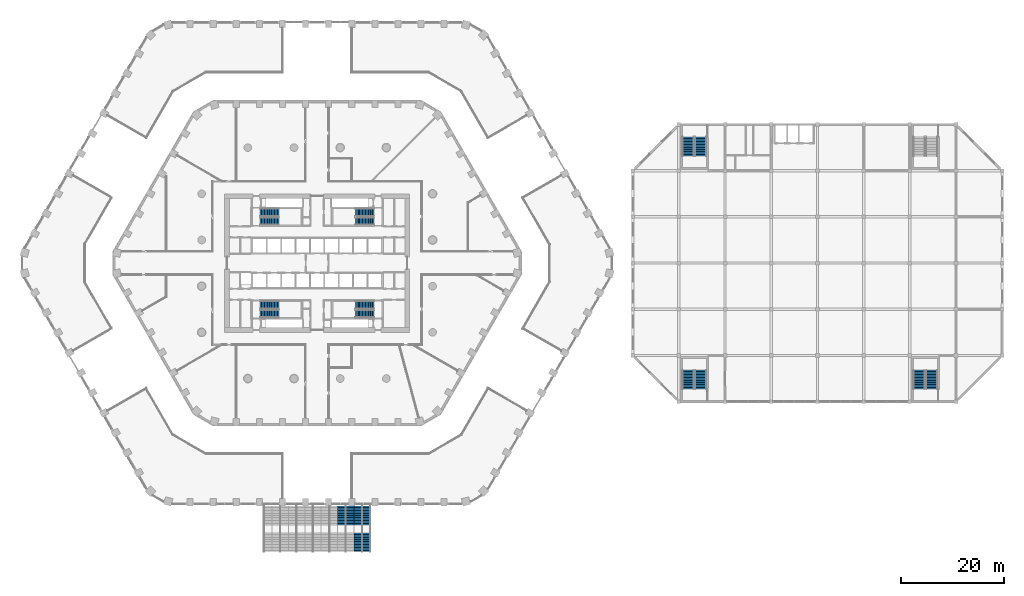
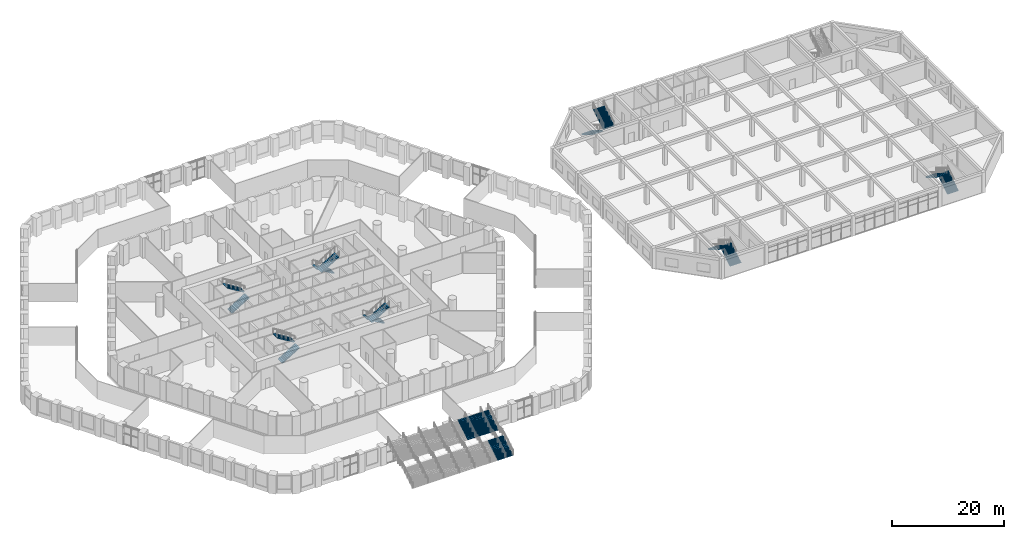
# One storey, part 30 of 42: 20 stair flights, 11 elements without a shape of their own.
"""IFC4 building model written with IfcOpenShell, lengths in metres."""

from ifc_helpers import new_model, si_unit, direction, frame, origin, place, context, subcontext, project, spatial, polyline, outline, extrude, material, type_object, element, aggregate, save


model = new_model("IFC4")

# Units and contexts
model_context = context("Model", 3, precision=1e-05, world=origin(), true_north=direction((0.0, 1.0)))
body_context = subcontext(model_context, "Body", "Model", "MODEL_VIEW")
ifc_project = project(units=[si_unit("LENGTHUNIT", "METRE"), si_unit("AREAUNIT", "SQUARE_METRE"), si_unit("VOLUMEUNIT", "CUBIC_METRE"), si_unit("PLANEANGLEUNIT", "RADIAN"), si_unit("MASSUNIT", "GRAM", prefix="KILO")], contexts=[model_context])

# Site, building, storey
site_placement = place(None, origin())
site = spatial("IfcSite", under=ifc_project, at=site_placement, CompositionType="ELEMENT")
building_placement = place(site_placement, origin())
building = spatial("IfcBuilding", under=site, at=building_placement, Name="Dhurran Vertical Campus", CompositionType="ELEMENT")
storey_placement = place(building_placement, frame((0.0, 0.0, 6.0)))
storey = spatial("IfcBuildingStorey", under=building, at=storey_placement, Name="L01", CompositionType="ELEMENT", Elevation=6.0)

# Stair, stair flights
ifc_material_1 = material(Name="Concrete C40/50", Category="concrete")
stair_type_1 = type_object("IfcStairType", Name="co-ST-CORE", PredefinedType="HALF_TURN_STAIR", material=ifc_material_1)
stair_1_placement = place(storey_placement, origin())
stair_1 = element("IfcStair", 1, at=stair_1_placement, inside=storey, type_object=stair_type_1, Name="L01 Protected exit stair ST1", PredefinedType="HALF_TURN_STAIR")
ifc_material_2 = material(Name="Concrete C40/50", Category="concrete")
stair_flight_type_1 = type_object("IfcStairFlightType", Name="co-SFL-RC", PredefinedType="STRAIGHT", material=ifc_material_2)
stair_flight_1_placement = place(storey_placement, frame((-11.10009765625, 8.175048828125, 0.0), z_axis=(0.0, 0.0, 1.0), x_axis=(1.0, 0.0, 0.0)))
stair_flight_1 = element("IfcStairFlight", 2, at=stair_flight_1_placement, type_object=stair_flight_type_1, Name="ST1 flight 1", NumberOfRisers=14, NumberOfTreads=13, PredefinedType="STRAIGHT", RiserHeight=0.171428571, TreadLength=0.28, context=body_context, shape_type="SweptSolid", body=[
    extrude(outline(polyline([(0.0, 0.0), (0.0, 0.17138671875), (0.280029296875, 0.17138671875), (0.280029296875, 0.3427734375), (0.56005859375, 0.3427734375), (0.56005859375, 0.514404296875), (0.840087890625, 0.514404296875), (0.840087890625, 0.685791015625), (1.1201171875, 0.685791015625), (1.1201171875, 0.857177734375), (1.39990234375, 0.857177734375), (1.39990234375, 1.028564453125), (1.679931640625, 1.028564453125), (1.679931640625, 1.199951171875), (1.9599609375, 1.199951171875), (1.9599609375, 1.371337890625), (2.239990234375, 1.371337890625), (2.239990234375, 1.54296875), (2.52001953125, 1.54296875), (2.52001953125, 1.71435546875), (2.800048828125, 1.71435546875), (2.800048828125, 1.8857421875), (3.080078125, 1.8857421875), (3.080078125, 2.05712890625), (3.360107421875, 2.05712890625), (3.360107421875, 2.228515625), (3.639892578125, 2.228515625), (3.639892578125, 2.39990234375), (3.639892578125, 2.052734375), (0.287109375, 0.0), (0.0, 0.0)])), frame((0.0, 0.77490234375, 0.0), z_axis=(0.0, -1.0, 0.0), x_axis=(1.0, 0.0, 0.0)), (0.0, 0.0, 1.0), 1.550048828125),
])
stair_flight_2_placement = place(storey_placement, frame((-7.4599609375, 9.875, 2.39990234375), z_axis=(0.0, 0.0, 1.0), x_axis=(-1.0, 0.0, 0.0)))
stair_flight_2 = element("IfcStairFlight", 3, at=stair_flight_2_placement, type_object=stair_flight_type_1, Name="ST1 flight 2", NumberOfRisers=14, NumberOfTreads=13, PredefinedType="STRAIGHT", RiserHeight=0.171428571, TreadLength=0.28, context=body_context, shape_type="SweptSolid", body=[
    extrude(outline(polyline([(0.0, 0.0), (0.0, 0.17138671875), (0.280029296875, 0.17138671875), (0.280029296875, 0.3427734375), (0.56005859375, 0.3427734375), (0.56005859375, 0.514404296875), (0.840087890625, 0.514404296875), (0.840087890625, 0.685791015625), (1.1201171875, 0.685791015625), (1.1201171875, 0.857177734375), (1.39990234375, 0.857177734375), (1.39990234375, 1.028564453125), (1.679931640625, 1.028564453125), (1.679931640625, 1.199951171875), (1.9599609375, 1.199951171875), (1.9599609375, 1.371337890625), (2.239990234375, 1.371337890625), (2.239990234375, 1.54296875), (2.52001953125, 1.54296875), (2.52001953125, 1.71435546875), (2.800048828125, 1.71435546875), (2.800048828125, 1.8857421875), (3.080078125, 1.8857421875), (3.080078125, 2.05712890625), (3.360107421875, 2.05712890625), (3.360107421875, 2.228515625), (3.639892578125, 2.228515625), (3.639892578125, 2.39990234375), (3.639892578125, 2.052734375), (0.287109375, 0.0), (0.0, 0.0)])), frame((0.0, 0.77490234375, 0.0), z_axis=(0.0, -1.0, 0.0), x_axis=(1.0, 0.0, 0.0)), (0.0, 0.0, 1.0), 1.550048828125),
])
aggregate(stair_1, [stair_flight_1, stair_flight_2])

stair_2_placement = place(storey_placement, origin())
stair_2 = element("IfcStair", 4, at=stair_2_placement, inside=storey, type_object=stair_type_1, Name="L01 Protected exit stair ST2", PredefinedType="HALF_TURN_STAIR")
stair_flight_3_placement = place(storey_placement, frame((11.10009765625, 9.875, 0.0), z_axis=(0.0, 0.0, 1.0), x_axis=(-1.0, 0.0, 0.0)))
stair_flight_3 = element("IfcStairFlight", 5, at=stair_flight_3_placement, type_object=stair_flight_type_1, Name="ST2 flight 1", NumberOfRisers=14, NumberOfTreads=13, PredefinedType="STRAIGHT", RiserHeight=0.171428571, TreadLength=0.28, context=body_context, shape_type="SweptSolid", body=[
    extrude(outline(polyline([(0.0, 0.0), (0.0, 0.17138671875), (0.280029296875, 0.17138671875), (0.280029296875, 0.3427734375), (0.56005859375, 0.3427734375), (0.56005859375, 0.514404296875), (0.840087890625, 0.514404296875), (0.840087890625, 0.685791015625), (1.1201171875, 0.685791015625), (1.1201171875, 0.857177734375), (1.39990234375, 0.857177734375), (1.39990234375, 1.028564453125), (1.679931640625, 1.028564453125), (1.679931640625, 1.199951171875), (1.9599609375, 1.199951171875), (1.9599609375, 1.371337890625), (2.239990234375, 1.371337890625), (2.239990234375, 1.54296875), (2.52001953125, 1.54296875), (2.52001953125, 1.71435546875), (2.800048828125, 1.71435546875), (2.800048828125, 1.8857421875), (3.080078125, 1.8857421875), (3.080078125, 2.05712890625), (3.360107421875, 2.05712890625), (3.360107421875, 2.228515625), (3.639892578125, 2.228515625), (3.639892578125, 2.39990234375), (3.639892578125, 2.052734375), (0.287109375, 0.0), (0.0, 0.0)])), frame((0.0, 0.77490234375, 0.0), z_axis=(0.0, -1.0, 0.0), x_axis=(1.0, 0.0, 0.0)), (0.0, 0.0, 1.0), 1.550048828125),
])
stair_flight_4_placement = place(storey_placement, frame((7.4599609375, 8.175048828125, 2.39990234375), z_axis=(0.0, 0.0, 1.0), x_axis=(1.0, 0.0, 0.0)))
stair_flight_4 = element("IfcStairFlight", 6, at=stair_flight_4_placement, type_object=stair_flight_type_1, Name="ST2 flight 2", NumberOfRisers=14, NumberOfTreads=13, PredefinedType="STRAIGHT", RiserHeight=0.171428571, TreadLength=0.28, context=body_context, shape_type="SweptSolid", body=[
    extrude(outline(polyline([(0.0, 0.0), (0.0, 0.17138671875), (0.280029296875, 0.17138671875), (0.280029296875, 0.3427734375), (0.56005859375, 0.3427734375), (0.56005859375, 0.514404296875), (0.840087890625, 0.514404296875), (0.840087890625, 0.685791015625), (1.1201171875, 0.685791015625), (1.1201171875, 0.857177734375), (1.39990234375, 0.857177734375), (1.39990234375, 1.028564453125), (1.679931640625, 1.028564453125), (1.679931640625, 1.199951171875), (1.9599609375, 1.199951171875), (1.9599609375, 1.371337890625), (2.239990234375, 1.371337890625), (2.239990234375, 1.54296875), (2.52001953125, 1.54296875), (2.52001953125, 1.71435546875), (2.800048828125, 1.71435546875), (2.800048828125, 1.8857421875), (3.080078125, 1.8857421875), (3.080078125, 2.05712890625), (3.360107421875, 2.05712890625), (3.360107421875, 2.228515625), (3.639892578125, 2.228515625), (3.639892578125, 2.39990234375), (3.639892578125, 2.052734375), (0.287109375, 0.0), (0.0, 0.0)])), frame((0.0, 0.77490234375, 0.0), z_axis=(0.0, -1.0, 0.0), x_axis=(1.0, 0.0, 0.0)), (0.0, 0.0, 1.0), 1.550048828125),
])
aggregate(stair_2, [stair_flight_3, stair_flight_4])

stair_3_placement = place(storey_placement, origin())
stair_3 = element("IfcStair", 7, at=stair_3_placement, inside=storey, type_object=stair_type_1, Name="L01 Protected exit stair ST3", PredefinedType="HALF_TURN_STAIR")
stair_flight_5_placement = place(storey_placement, frame((-11.10009765625, -9.875, 0.0), z_axis=(0.0, 0.0, 1.0), x_axis=(1.0, 0.0, 0.0)))
stair_flight_5 = element("IfcStairFlight", 8, at=stair_flight_5_placement, type_object=stair_flight_type_1, Name="ST3 flight 1", NumberOfRisers=14, NumberOfTreads=13, PredefinedType="STRAIGHT", RiserHeight=0.171428571, TreadLength=0.28, context=body_context, shape_type="SweptSolid", body=[
    extrude(outline(polyline([(0.0, 0.0), (0.0, 0.17138671875), (0.280029296875, 0.17138671875), (0.280029296875, 0.3427734375), (0.56005859375, 0.3427734375), (0.56005859375, 0.514404296875), (0.840087890625, 0.514404296875), (0.840087890625, 0.685791015625), (1.1201171875, 0.685791015625), (1.1201171875, 0.857177734375), (1.39990234375, 0.857177734375), (1.39990234375, 1.028564453125), (1.679931640625, 1.028564453125), (1.679931640625, 1.199951171875), (1.9599609375, 1.199951171875), (1.9599609375, 1.371337890625), (2.239990234375, 1.371337890625), (2.239990234375, 1.54296875), (2.52001953125, 1.54296875), (2.52001953125, 1.71435546875), (2.800048828125, 1.71435546875), (2.800048828125, 1.8857421875), (3.080078125, 1.8857421875), (3.080078125, 2.05712890625), (3.360107421875, 2.05712890625), (3.360107421875, 2.228515625), (3.639892578125, 2.228515625), (3.639892578125, 2.39990234375), (3.639892578125, 2.052734375), (0.287109375, 0.0), (0.0, 0.0)])), frame((0.0, 0.77490234375, 0.0), z_axis=(0.0, -1.0, 0.0), x_axis=(1.0, 0.0, 0.0)), (0.0, 0.0, 1.0), 1.550048828125),
])
stair_flight_6_placement = place(storey_placement, frame((-7.4599609375, -8.175048828125, 2.39990234375), z_axis=(0.0, 0.0, 1.0), x_axis=(-1.0, 0.0, 0.0)))
stair_flight_6 = element("IfcStairFlight", 9, at=stair_flight_6_placement, type_object=stair_flight_type_1, Name="ST3 flight 2", NumberOfRisers=14, NumberOfTreads=13, PredefinedType="STRAIGHT", RiserHeight=0.171428571, TreadLength=0.28, context=body_context, shape_type="SweptSolid", body=[
    extrude(outline(polyline([(0.0, 0.0), (0.0, 0.17138671875), (0.280029296875, 0.17138671875), (0.280029296875, 0.3427734375), (0.56005859375, 0.3427734375), (0.56005859375, 0.514404296875), (0.840087890625, 0.514404296875), (0.840087890625, 0.685791015625), (1.1201171875, 0.685791015625), (1.1201171875, 0.857177734375), (1.39990234375, 0.857177734375), (1.39990234375, 1.028564453125), (1.679931640625, 1.028564453125), (1.679931640625, 1.199951171875), (1.9599609375, 1.199951171875), (1.9599609375, 1.371337890625), (2.239990234375, 1.371337890625), (2.239990234375, 1.54296875), (2.52001953125, 1.54296875), (2.52001953125, 1.71435546875), (2.800048828125, 1.71435546875), (2.800048828125, 1.8857421875), (3.080078125, 1.8857421875), (3.080078125, 2.05712890625), (3.360107421875, 2.05712890625), (3.360107421875, 2.228515625), (3.639892578125, 2.228515625), (3.639892578125, 2.39990234375), (3.639892578125, 2.052734375), (0.287109375, 0.0), (0.0, 0.0)])), frame((0.0, 0.77490234375, 0.0), z_axis=(0.0, -1.0, 0.0), x_axis=(1.0, 0.0, 0.0)), (0.0, 0.0, 1.0), 1.550048828125),
])
aggregate(stair_3, [stair_flight_5, stair_flight_6])

stair_4_placement = place(storey_placement, origin())
stair_4 = element("IfcStair", 10, at=stair_4_placement, inside=storey, type_object=stair_type_1, Name="L01 Protected exit stair ST4", PredefinedType="HALF_TURN_STAIR")
stair_flight_7_placement = place(storey_placement, frame((11.10009765625, -8.175048828125, 0.0), z_axis=(0.0, 0.0, 1.0), x_axis=(-1.0, 0.0, 0.0)))
stair_flight_7 = element("IfcStairFlight", 11, at=stair_flight_7_placement, type_object=stair_flight_type_1, Name="ST4 flight 1", NumberOfRisers=14, NumberOfTreads=13, PredefinedType="STRAIGHT", RiserHeight=0.171428571, TreadLength=0.28, context=body_context, shape_type="SweptSolid", body=[
    extrude(outline(polyline([(0.0, 0.0), (0.0, 0.17138671875), (0.280029296875, 0.17138671875), (0.280029296875, 0.3427734375), (0.56005859375, 0.3427734375), (0.56005859375, 0.514404296875), (0.840087890625, 0.514404296875), (0.840087890625, 0.685791015625), (1.1201171875, 0.685791015625), (1.1201171875, 0.857177734375), (1.39990234375, 0.857177734375), (1.39990234375, 1.028564453125), (1.679931640625, 1.028564453125), (1.679931640625, 1.199951171875), (1.9599609375, 1.199951171875), (1.9599609375, 1.371337890625), (2.239990234375, 1.371337890625), (2.239990234375, 1.54296875), (2.52001953125, 1.54296875), (2.52001953125, 1.71435546875), (2.800048828125, 1.71435546875), (2.800048828125, 1.8857421875), (3.080078125, 1.8857421875), (3.080078125, 2.05712890625), (3.360107421875, 2.05712890625), (3.360107421875, 2.228515625), (3.639892578125, 2.228515625), (3.639892578125, 2.39990234375), (3.639892578125, 2.052734375), (0.287109375, 0.0), (0.0, 0.0)])), frame((0.0, 0.77490234375, 0.0), z_axis=(0.0, -1.0, 0.0), x_axis=(1.0, 0.0, 0.0)), (0.0, 0.0, 1.0), 1.550048828125),
])
stair_flight_8_placement = place(storey_placement, frame((7.4599609375, -9.875, 2.39990234375), z_axis=(0.0, 0.0, 1.0), x_axis=(1.0, 0.0, 0.0)))
stair_flight_8 = element("IfcStairFlight", 12, at=stair_flight_8_placement, type_object=stair_flight_type_1, Name="ST4 flight 2", NumberOfRisers=14, NumberOfTreads=13, PredefinedType="STRAIGHT", RiserHeight=0.171428571, TreadLength=0.28, context=body_context, shape_type="SweptSolid", body=[
    extrude(outline(polyline([(0.0, 0.0), (0.0, 0.17138671875), (0.280029296875, 0.17138671875), (0.280029296875, 0.3427734375), (0.56005859375, 0.3427734375), (0.56005859375, 0.514404296875), (0.840087890625, 0.514404296875), (0.840087890625, 0.685791015625), (1.1201171875, 0.685791015625), (1.1201171875, 0.857177734375), (1.39990234375, 0.857177734375), (1.39990234375, 1.028564453125), (1.679931640625, 1.028564453125), (1.679931640625, 1.199951171875), (1.9599609375, 1.199951171875), (1.9599609375, 1.371337890625), (2.239990234375, 1.371337890625), (2.239990234375, 1.54296875), (2.52001953125, 1.54296875), (2.52001953125, 1.71435546875), (2.800048828125, 1.71435546875), (2.800048828125, 1.8857421875), (3.080078125, 1.8857421875), (3.080078125, 2.05712890625), (3.360107421875, 2.05712890625), (3.360107421875, 2.228515625), (3.639892578125, 2.228515625), (3.639892578125, 2.39990234375), (3.639892578125, 2.052734375), (0.287109375, 0.0), (0.0, 0.0)])), frame((0.0, 0.77490234375, 0.0), z_axis=(0.0, -1.0, 0.0), x_axis=(1.0, 0.0, 0.0)), (0.0, 0.0, 1.0), 1.550048828125),
])
aggregate(stair_4, [stair_flight_7, stair_flight_8])

ifc_material_3 = material(Name="Concrete C40/50", Category="concrete")
stair_type_2 = type_object("IfcStairType", Name="hl-exit stair dog-leg", PredefinedType="HALF_TURN_STAIR", material=ifc_material_3)
stair_5_placement = place(storey_placement, origin())
stair_5 = element("IfcStair", 13, at=stair_5_placement, inside=storey, type_object=stair_type_2, Name="L01 Exit stair HST1", PredefinedType="HALF_TURN_STAIR")
ifc_material_4 = material(Name="Concrete C40/50", Category="concrete")
stair_flight_type_2 = type_object("IfcStairFlightType", Name="hl-stair flight", PredefinedType="STRAIGHT", material=ifc_material_4)
stair_flight_9_placement = place(storey_placement, frame((74.75, -24.550048828125, 0.0), z_axis=(0.0, 0.0, 1.0), x_axis=(0.0, 1.0, 0.0)))
stair_flight_9 = element("IfcStairFlight", 14, at=stair_flight_9_placement, type_object=stair_flight_type_2, Name="HST1 flight 1", NumberOfRisers=14, NumberOfTreads=13, PredefinedType="STRAIGHT", RiserHeight=0.171428571, TreadLength=0.284, context=body_context, shape_type="SweptSolid", body=[
    extrude(outline(polyline([(0.0, 0.0), (0.0, 0.17138671875), (0.283935546875, 0.17138671875), (0.283935546875, 0.3427734375), (0.568115234375, 0.3427734375), (0.568115234375, 0.514404296875), (0.85205078125, 0.514404296875), (0.85205078125, 0.685791015625), (1.135986328125, 0.685791015625), (1.135986328125, 0.857177734375), (1.419921875, 0.857177734375), (1.419921875, 1.028564453125), (1.7041015625, 1.028564453125), (1.7041015625, 1.199951171875), (1.988037109375, 1.199951171875), (1.988037109375, 1.371337890625), (2.27197265625, 1.371337890625), (2.27197265625, 1.54296875), (2.555908203125, 1.54296875), (2.555908203125, 1.71435546875), (2.840087890625, 1.71435546875), (2.840087890625, 1.8857421875), (3.1240234375, 1.8857421875), (3.1240234375, 2.05712890625), (3.407958984375, 2.05712890625), (3.407958984375, 2.228515625), (3.69189453125, 2.228515625), (3.69189453125, 2.39990234375), (3.69189453125, 2.053466796875), (0.2900390625, 0.0), (0.0, 0.0)])), frame((0.0, 1.14990234375, 0.0), z_axis=(0.0, -1.0, 0.0), x_axis=(1.0, 0.0, 0.0)), (0.0, 0.0, 1.0), 2.300048828125),
])
stair_flight_10_placement = place(storey_placement, frame((72.300048828125, -20.85791015625, 2.39990234375), z_axis=(0.0, 0.0, 1.0), x_axis=(0.0, -1.0, 0.0)))
stair_flight_10 = element("IfcStairFlight", 15, at=stair_flight_10_placement, type_object=stair_flight_type_2, Name="HST1 flight 2", NumberOfRisers=14, NumberOfTreads=13, PredefinedType="STRAIGHT", RiserHeight=0.171428571, TreadLength=0.284, context=body_context, shape_type="SweptSolid", body=[
    extrude(outline(polyline([(0.0, 0.0), (0.0, 0.17138671875), (0.283935546875, 0.17138671875), (0.283935546875, 0.3427734375), (0.568115234375, 0.3427734375), (0.568115234375, 0.514404296875), (0.85205078125, 0.514404296875), (0.85205078125, 0.685791015625), (1.135986328125, 0.685791015625), (1.135986328125, 0.857177734375), (1.419921875, 0.857177734375), (1.419921875, 1.028564453125), (1.7041015625, 1.028564453125), (1.7041015625, 1.199951171875), (1.988037109375, 1.199951171875), (1.988037109375, 1.371337890625), (2.27197265625, 1.371337890625), (2.27197265625, 1.54296875), (2.555908203125, 1.54296875), (2.555908203125, 1.71435546875), (2.840087890625, 1.71435546875), (2.840087890625, 1.8857421875), (3.1240234375, 1.8857421875), (3.1240234375, 2.05712890625), (3.407958984375, 2.05712890625), (3.407958984375, 2.228515625), (3.69189453125, 2.228515625), (3.69189453125, 2.39990234375), (3.69189453125, 2.053466796875), (0.2900390625, 0.0), (0.0, 0.0)])), frame((0.0, 1.14990234375, 0.0), z_axis=(0.0, -1.0, 0.0), x_axis=(1.0, 0.0, 0.0)), (0.0, 0.0, 1.0), 2.300048828125),
])
aggregate(stair_5, [stair_flight_9, stair_flight_10])

stair_6_placement = place(storey_placement, origin())
stair_6 = element("IfcStair", 16, at=stair_6_placement, inside=storey, type_object=stair_type_2, Name="L01 Exit stair HST3", PredefinedType="HALF_TURN_STAIR")
stair_flight_11_placement = place(storey_placement, frame((72.300048828125, 24.550048828125, 0.0), z_axis=(0.0, 0.0, 1.0), x_axis=(0.0, -1.0, 0.0)))
stair_flight_11 = element("IfcStairFlight", 17, at=stair_flight_11_placement, type_object=stair_flight_type_2, Name="HST3 flight 1", NumberOfRisers=14, NumberOfTreads=13, PredefinedType="STRAIGHT", RiserHeight=0.171428571, TreadLength=0.284, context=body_context, shape_type="SweptSolid", body=[
    extrude(outline(polyline([(0.0, 0.0), (0.0, 0.17138671875), (0.283935546875, 0.17138671875), (0.283935546875, 0.3427734375), (0.568115234375, 0.3427734375), (0.568115234375, 0.514404296875), (0.85205078125, 0.514404296875), (0.85205078125, 0.685791015625), (1.135986328125, 0.685791015625), (1.135986328125, 0.857177734375), (1.419921875, 0.857177734375), (1.419921875, 1.028564453125), (1.7041015625, 1.028564453125), (1.7041015625, 1.199951171875), (1.988037109375, 1.199951171875), (1.988037109375, 1.371337890625), (2.27197265625, 1.371337890625), (2.27197265625, 1.54296875), (2.555908203125, 1.54296875), (2.555908203125, 1.71435546875), (2.840087890625, 1.71435546875), (2.840087890625, 1.8857421875), (3.1240234375, 1.8857421875), (3.1240234375, 2.05712890625), (3.407958984375, 2.05712890625), (3.407958984375, 2.228515625), (3.69189453125, 2.228515625), (3.69189453125, 2.39990234375), (3.69189453125, 2.053466796875), (0.2900390625, 0.0), (0.0, 0.0)])), frame((0.0, 1.14990234375, 0.0), z_axis=(0.0, -1.0, 0.0), x_axis=(1.0, 0.0, 0.0)), (0.0, 0.0, 1.0), 2.300048828125),
])
stair_flight_12_placement = place(storey_placement, frame((74.75, 20.85791015625, 2.39990234375), z_axis=(0.0, 0.0, 1.0), x_axis=(0.0, 1.0, 0.0)))
stair_flight_12 = element("IfcStairFlight", 18, at=stair_flight_12_placement, type_object=stair_flight_type_2, Name="HST3 flight 2", NumberOfRisers=14, NumberOfTreads=13, PredefinedType="STRAIGHT", RiserHeight=0.171428571, TreadLength=0.284, context=body_context, shape_type="SweptSolid", body=[
    extrude(outline(polyline([(0.0, 0.0), (0.0, 0.17138671875), (0.283935546875, 0.17138671875), (0.283935546875, 0.3427734375), (0.568115234375, 0.3427734375), (0.568115234375, 0.514404296875), (0.85205078125, 0.514404296875), (0.85205078125, 0.685791015625), (1.135986328125, 0.685791015625), (1.135986328125, 0.857177734375), (1.419921875, 0.857177734375), (1.419921875, 1.028564453125), (1.7041015625, 1.028564453125), (1.7041015625, 1.199951171875), (1.988037109375, 1.199951171875), (1.988037109375, 1.371337890625), (2.27197265625, 1.371337890625), (2.27197265625, 1.54296875), (2.555908203125, 1.54296875), (2.555908203125, 1.71435546875), (2.840087890625, 1.71435546875), (2.840087890625, 1.8857421875), (3.1240234375, 1.8857421875), (3.1240234375, 2.05712890625), (3.407958984375, 2.05712890625), (3.407958984375, 2.228515625), (3.69189453125, 2.228515625), (3.69189453125, 2.39990234375), (3.69189453125, 2.053466796875), (0.2900390625, 0.0), (0.0, 0.0)])), frame((0.0, 1.14990234375, 0.0), z_axis=(0.0, -1.0, 0.0), x_axis=(1.0, 0.0, 0.0)), (0.0, 0.0, 1.0), 2.300048828125),
])
aggregate(stair_6, [stair_flight_11, stair_flight_12])

stair_7_placement = place(storey_placement, origin())
stair_7 = element("IfcStair", 19, at=stair_7_placement, inside=storey, type_object=stair_type_2, Name="L01 Exit stair HST4", PredefinedType="HALF_TURN_STAIR")
stair_flight_13_placement = place(storey_placement, frame((119.75, -24.550048828125, 0.0), z_axis=(0.0, 0.0, 1.0), x_axis=(0.0, 1.0, 0.0)))
stair_flight_13 = element("IfcStairFlight", 20, at=stair_flight_13_placement, type_object=stair_flight_type_2, Name="HST4 flight 1", NumberOfRisers=14, NumberOfTreads=13, PredefinedType="STRAIGHT", RiserHeight=0.171428571, TreadLength=0.284, context=body_context, shape_type="SweptSolid", body=[
    extrude(outline(polyline([(0.0, 0.0), (0.0, 0.17138671875), (0.283935546875, 0.17138671875), (0.283935546875, 0.3427734375), (0.568115234375, 0.3427734375), (0.568115234375, 0.514404296875), (0.85205078125, 0.514404296875), (0.85205078125, 0.685791015625), (1.135986328125, 0.685791015625), (1.135986328125, 0.857177734375), (1.419921875, 0.857177734375), (1.419921875, 1.028564453125), (1.7041015625, 1.028564453125), (1.7041015625, 1.199951171875), (1.988037109375, 1.199951171875), (1.988037109375, 1.371337890625), (2.27197265625, 1.371337890625), (2.27197265625, 1.54296875), (2.555908203125, 1.54296875), (2.555908203125, 1.71435546875), (2.840087890625, 1.71435546875), (2.840087890625, 1.8857421875), (3.1240234375, 1.8857421875), (3.1240234375, 2.05712890625), (3.407958984375, 2.05712890625), (3.407958984375, 2.228515625), (3.69189453125, 2.228515625), (3.69189453125, 2.39990234375), (3.69189453125, 2.053466796875), (0.2900390625, 0.0), (0.0, 0.0)])), frame((0.0, 1.14990234375, 0.0), z_axis=(0.0, -1.0, 0.0), x_axis=(1.0, 0.0, 0.0)), (0.0, 0.0, 1.0), 2.300048828125),
])
stair_flight_14_placement = place(storey_placement, frame((117.300048828125, -20.85791015625, 2.39990234375), z_axis=(0.0, 0.0, 1.0), x_axis=(0.0, -1.0, 0.0)))
stair_flight_14 = element("IfcStairFlight", 21, at=stair_flight_14_placement, type_object=stair_flight_type_2, Name="HST4 flight 2", NumberOfRisers=14, NumberOfTreads=13, PredefinedType="STRAIGHT", RiserHeight=0.171428571, TreadLength=0.284, context=body_context, shape_type="SweptSolid", body=[
    extrude(outline(polyline([(0.0, 0.0), (0.0, 0.17138671875), (0.283935546875, 0.17138671875), (0.283935546875, 0.3427734375), (0.568115234375, 0.3427734375), (0.568115234375, 0.514404296875), (0.85205078125, 0.514404296875), (0.85205078125, 0.685791015625), (1.135986328125, 0.685791015625), (1.135986328125, 0.857177734375), (1.419921875, 0.857177734375), (1.419921875, 1.028564453125), (1.7041015625, 1.028564453125), (1.7041015625, 1.199951171875), (1.988037109375, 1.199951171875), (1.988037109375, 1.371337890625), (2.27197265625, 1.371337890625), (2.27197265625, 1.54296875), (2.555908203125, 1.54296875), (2.555908203125, 1.71435546875), (2.840087890625, 1.71435546875), (2.840087890625, 1.8857421875), (3.1240234375, 1.8857421875), (3.1240234375, 2.05712890625), (3.407958984375, 2.05712890625), (3.407958984375, 2.228515625), (3.69189453125, 2.228515625), (3.69189453125, 2.39990234375), (3.69189453125, 2.053466796875), (0.2900390625, 0.0), (0.0, 0.0)])), frame((0.0, 1.14990234375, 0.0), z_axis=(0.0, -1.0, 0.0), x_axis=(1.0, 0.0, 0.0)), (0.0, 0.0, 1.0), 2.300048828125),
])
aggregate(stair_7, [stair_flight_13, stair_flight_14])

# Stair, stair flight
ifc_material_5 = material(Name="Concrete C40/50", Category="concrete")
stair_type_3 = type_object("IfcStairType", Name="st-broad stair straight 3 flights", PredefinedType="STRAIGHT_RUN_STAIR", material=ifc_material_5)
stair_8_placement = place(storey_placement, origin())
stair_8 = element("IfcStair", 22, at=stair_8_placement, inside=storey, type_object=stair_type_3, Name="Broad stair DS2-10 to the raised garden", PredefinedType="STRAIGHT_RUN_STAIR")
ifc_material_6 = material(Name="Concrete C40/50", Category="concrete")
stair_flight_type_3 = type_object("IfcStairFlightType", Name="st-broad stair flight", PredefinedType="STRAIGHT", material=ifc_material_6)
stair_flight_15_placement = place(storey_placement, frame((4.800048828125, -51.00830078125, 2.39990234375), z_axis=(0.0, 0.0, 1.0), x_axis=(0.0, 1.0, 0.0)))
stair_flight_15 = element("IfcStairFlight", 23, at=stair_flight_15_placement, type_object=stair_flight_type_3, Name="DS2-10 flight 2", NumberOfRisers=14, NumberOfTreads=13, PredefinedType="STRAIGHT", RiserHeight=0.171428571, TreadLength=0.28, context=body_context, shape_type="SweptSolid", body=[
    extrude(outline(polyline([(0.0, 0.0), (0.0, 0.17138671875), (0.280029296875, 0.17138671875), (0.280029296875, 0.3427734375), (0.56005859375, 0.3427734375), (0.56005859375, 0.514404296875), (0.840087890625, 0.514404296875), (0.840087890625, 0.685791015625), (1.1201171875, 0.685791015625), (1.1201171875, 0.857177734375), (1.39990234375, 0.857177734375), (1.39990234375, 1.028564453125), (1.679931640625, 1.028564453125), (1.679931640625, 1.199951171875), (1.9599609375, 1.199951171875), (1.9599609375, 1.371337890625), (2.239990234375, 1.371337890625), (2.239990234375, 1.54296875), (2.52001953125, 1.54296875), (2.52001953125, 1.71435546875), (2.800048828125, 1.71435546875), (2.800048828125, 1.8857421875), (3.080078125, 1.8857421875), (3.080078125, 2.05712890625), (3.360107421875, 2.05712890625), (3.360107421875, 2.228515625), (3.639892578125, 2.228515625), (3.639892578125, 2.39990234375), (3.639892578125, 2.052734375), (0.287109375, 0.0), (0.0, 0.0)])), frame((0.0, 0.800048828125, 0.0), z_axis=(0.0, -1.0, 0.0), x_axis=(1.0, 0.0, 0.0)), (0.0, 0.0, 1.0), 1.60009765625),
])
aggregate(stair_8, [stair_flight_15])

stair_9_placement = place(storey_placement, origin())
stair_9 = element("IfcStair", 24, at=stair_9_placement, inside=storey, type_object=stair_type_3, Name="Broad stair DS2-11 to the raised garden", PredefinedType="STRAIGHT_RUN_STAIR")
stair_flight_16_placement = place(storey_placement, frame((6.39990234375, -51.00830078125, 2.39990234375), z_axis=(0.0, 0.0, 1.0), x_axis=(0.0, 1.0, 0.0)))
stair_flight_16 = element("IfcStairFlight", 25, at=stair_flight_16_placement, type_object=stair_flight_type_3, Name="DS2-11 flight 2", NumberOfRisers=14, NumberOfTreads=13, PredefinedType="STRAIGHT", RiserHeight=0.171428571, TreadLength=0.28, context=body_context, shape_type="SweptSolid", body=[
    extrude(outline(polyline([(0.0, 0.0), (0.0, 0.17138671875), (0.280029296875, 0.17138671875), (0.280029296875, 0.3427734375), (0.56005859375, 0.3427734375), (0.56005859375, 0.514404296875), (0.840087890625, 0.514404296875), (0.840087890625, 0.685791015625), (1.1201171875, 0.685791015625), (1.1201171875, 0.857177734375), (1.39990234375, 0.857177734375), (1.39990234375, 1.028564453125), (1.679931640625, 1.028564453125), (1.679931640625, 1.199951171875), (1.9599609375, 1.199951171875), (1.9599609375, 1.371337890625), (2.239990234375, 1.371337890625), (2.239990234375, 1.54296875), (2.52001953125, 1.54296875), (2.52001953125, 1.71435546875), (2.800048828125, 1.71435546875), (2.800048828125, 1.8857421875), (3.080078125, 1.8857421875), (3.080078125, 2.05712890625), (3.360107421875, 2.05712890625), (3.360107421875, 2.228515625), (3.639892578125, 2.228515625), (3.639892578125, 2.39990234375), (3.639892578125, 2.052734375), (0.287109375, 0.0), (0.0, 0.0)])), frame((0.0, 0.800048828125, 0.0), z_axis=(0.0, -1.0, 0.0), x_axis=(1.0, 0.0, 0.0)), (0.0, 0.0, 1.0), 1.60009765625),
])
aggregate(stair_9, [stair_flight_16])

# Stair, stair flights
stair_10_placement = place(storey_placement, origin())
stair_10 = element("IfcStair", 26, at=stair_10_placement, inside=storey, type_object=stair_type_3, Name="Broad stair DS2-12 to the raised garden", PredefinedType="STRAIGHT_RUN_STAIR")
stair_flight_17_placement = place(storey_placement, frame((8.0, -56.248291015625, 0.0), z_axis=(0.0, 0.0, 1.0), x_axis=(0.0, 1.0, 0.0)))
stair_flight_17 = element("IfcStairFlight", 27, at=stair_flight_17_placement, type_object=stair_flight_type_3, Name="DS2-12 flight 1", NumberOfRisers=14, NumberOfTreads=13, PredefinedType="STRAIGHT", RiserHeight=0.171428571, TreadLength=0.28, context=body_context, shape_type="SweptSolid", body=[
    extrude(outline(polyline([(0.0, 0.0), (0.0, 0.17138671875), (0.280029296875, 0.17138671875), (0.280029296875, 0.3427734375), (0.56005859375, 0.3427734375), (0.56005859375, 0.514404296875), (0.840087890625, 0.514404296875), (0.840087890625, 0.685791015625), (1.1201171875, 0.685791015625), (1.1201171875, 0.857177734375), (1.39990234375, 0.857177734375), (1.39990234375, 1.028564453125), (1.679931640625, 1.028564453125), (1.679931640625, 1.199951171875), (1.9599609375, 1.199951171875), (1.9599609375, 1.371337890625), (2.239990234375, 1.371337890625), (2.239990234375, 1.54296875), (2.52001953125, 1.54296875), (2.52001953125, 1.71435546875), (2.800048828125, 1.71435546875), (2.800048828125, 1.8857421875), (3.080078125, 1.8857421875), (3.080078125, 2.05712890625), (3.360107421875, 2.05712890625), (3.360107421875, 2.228515625), (3.639892578125, 2.228515625), (3.639892578125, 2.39990234375), (3.639892578125, 2.052734375), (0.287109375, 0.0), (0.0, 0.0)])), frame((0.0, 0.800048828125, 0.0), z_axis=(0.0, -1.0, 0.0), x_axis=(1.0, 0.0, 0.0)), (0.0, 0.0, 1.0), 1.60009765625),
])
stair_flight_18_placement = place(storey_placement, frame((8.0, -51.00830078125, 2.39990234375), z_axis=(0.0, 0.0, 1.0), x_axis=(0.0, 1.0, 0.0)))
stair_flight_18 = element("IfcStairFlight", 28, at=stair_flight_18_placement, type_object=stair_flight_type_3, Name="DS2-12 flight 2", NumberOfRisers=14, NumberOfTreads=13, PredefinedType="STRAIGHT", RiserHeight=0.171428571, TreadLength=0.28, context=body_context, shape_type="SweptSolid", body=[
    extrude(outline(polyline([(0.0, 0.0), (0.0, 0.17138671875), (0.280029296875, 0.17138671875), (0.280029296875, 0.3427734375), (0.56005859375, 0.3427734375), (0.56005859375, 0.514404296875), (0.840087890625, 0.514404296875), (0.840087890625, 0.685791015625), (1.1201171875, 0.685791015625), (1.1201171875, 0.857177734375), (1.39990234375, 0.857177734375), (1.39990234375, 1.028564453125), (1.679931640625, 1.028564453125), (1.679931640625, 1.199951171875), (1.9599609375, 1.199951171875), (1.9599609375, 1.371337890625), (2.239990234375, 1.371337890625), (2.239990234375, 1.54296875), (2.52001953125, 1.54296875), (2.52001953125, 1.71435546875), (2.800048828125, 1.71435546875), (2.800048828125, 1.8857421875), (3.080078125, 1.8857421875), (3.080078125, 2.05712890625), (3.360107421875, 2.05712890625), (3.360107421875, 2.228515625), (3.639892578125, 2.228515625), (3.639892578125, 2.39990234375), (3.639892578125, 2.052734375), (0.287109375, 0.0), (0.0, 0.0)])), frame((0.0, 0.800048828125, 0.0), z_axis=(0.0, -1.0, 0.0), x_axis=(1.0, 0.0, 0.0)), (0.0, 0.0, 1.0), 1.60009765625),
])
aggregate(stair_10, [stair_flight_17, stair_flight_18])

stair_11_placement = place(storey_placement, origin())
stair_11 = element("IfcStair", 29, at=stair_11_placement, inside=storey, type_object=stair_type_3, Name="Broad stair DS2-13 to the raised garden", PredefinedType="STRAIGHT_RUN_STAIR")
stair_flight_19_placement = place(storey_placement, frame((9.60009765625, -56.248291015625, 0.0), z_axis=(0.0, 0.0, 1.0), x_axis=(0.0, 1.0, 0.0)))
stair_flight_19 = element("IfcStairFlight", 30, at=stair_flight_19_placement, type_object=stair_flight_type_3, Name="DS2-13 flight 1", NumberOfRisers=14, NumberOfTreads=13, PredefinedType="STRAIGHT", RiserHeight=0.171428571, TreadLength=0.28, context=body_context, shape_type="SweptSolid", body=[
    extrude(outline(polyline([(0.0, 0.0), (0.0, 0.17138671875), (0.280029296875, 0.17138671875), (0.280029296875, 0.3427734375), (0.56005859375, 0.3427734375), (0.56005859375, 0.514404296875), (0.840087890625, 0.514404296875), (0.840087890625, 0.685791015625), (1.1201171875, 0.685791015625), (1.1201171875, 0.857177734375), (1.39990234375, 0.857177734375), (1.39990234375, 1.028564453125), (1.679931640625, 1.028564453125), (1.679931640625, 1.199951171875), (1.9599609375, 1.199951171875), (1.9599609375, 1.371337890625), (2.239990234375, 1.371337890625), (2.239990234375, 1.54296875), (2.52001953125, 1.54296875), (2.52001953125, 1.71435546875), (2.800048828125, 1.71435546875), (2.800048828125, 1.8857421875), (3.080078125, 1.8857421875), (3.080078125, 2.05712890625), (3.360107421875, 2.05712890625), (3.360107421875, 2.228515625), (3.639892578125, 2.228515625), (3.639892578125, 2.39990234375), (3.639892578125, 2.052734375), (0.287109375, 0.0), (0.0, 0.0)])), frame((0.0, 0.800048828125, 0.0), z_axis=(0.0, -1.0, 0.0), x_axis=(1.0, 0.0, 0.0)), (0.0, 0.0, 1.0), 1.60009765625),
])
stair_flight_20_placement = place(storey_placement, frame((9.60009765625, -51.00830078125, 2.39990234375), z_axis=(0.0, 0.0, 1.0), x_axis=(0.0, 1.0, 0.0)))
stair_flight_20 = element("IfcStairFlight", 31, at=stair_flight_20_placement, type_object=stair_flight_type_3, Name="DS2-13 flight 2", NumberOfRisers=14, NumberOfTreads=13, PredefinedType="STRAIGHT", RiserHeight=0.171428571, TreadLength=0.28, context=body_context, shape_type="SweptSolid", body=[
    extrude(outline(polyline([(0.0, 0.0), (0.0, 0.17138671875), (0.280029296875, 0.17138671875), (0.280029296875, 0.3427734375), (0.56005859375, 0.3427734375), (0.56005859375, 0.514404296875), (0.840087890625, 0.514404296875), (0.840087890625, 0.685791015625), (1.1201171875, 0.685791015625), (1.1201171875, 0.857177734375), (1.39990234375, 0.857177734375), (1.39990234375, 1.028564453125), (1.679931640625, 1.028564453125), (1.679931640625, 1.199951171875), (1.9599609375, 1.199951171875), (1.9599609375, 1.371337890625), (2.239990234375, 1.371337890625), (2.239990234375, 1.54296875), (2.52001953125, 1.54296875), (2.52001953125, 1.71435546875), (2.800048828125, 1.71435546875), (2.800048828125, 1.8857421875), (3.080078125, 1.8857421875), (3.080078125, 2.05712890625), (3.360107421875, 2.05712890625), (3.360107421875, 2.228515625), (3.639892578125, 2.228515625), (3.639892578125, 2.39990234375), (3.639892578125, 2.052734375), (0.287109375, 0.0), (0.0, 0.0)])), frame((0.0, 0.800048828125, 0.0), z_axis=(0.0, -1.0, 0.0), x_axis=(1.0, 0.0, 0.0)), (0.0, 0.0, 1.0), 1.60009765625),
])
aggregate(stair_11, [stair_flight_19, stair_flight_20])

save(model, "model.ifc")
